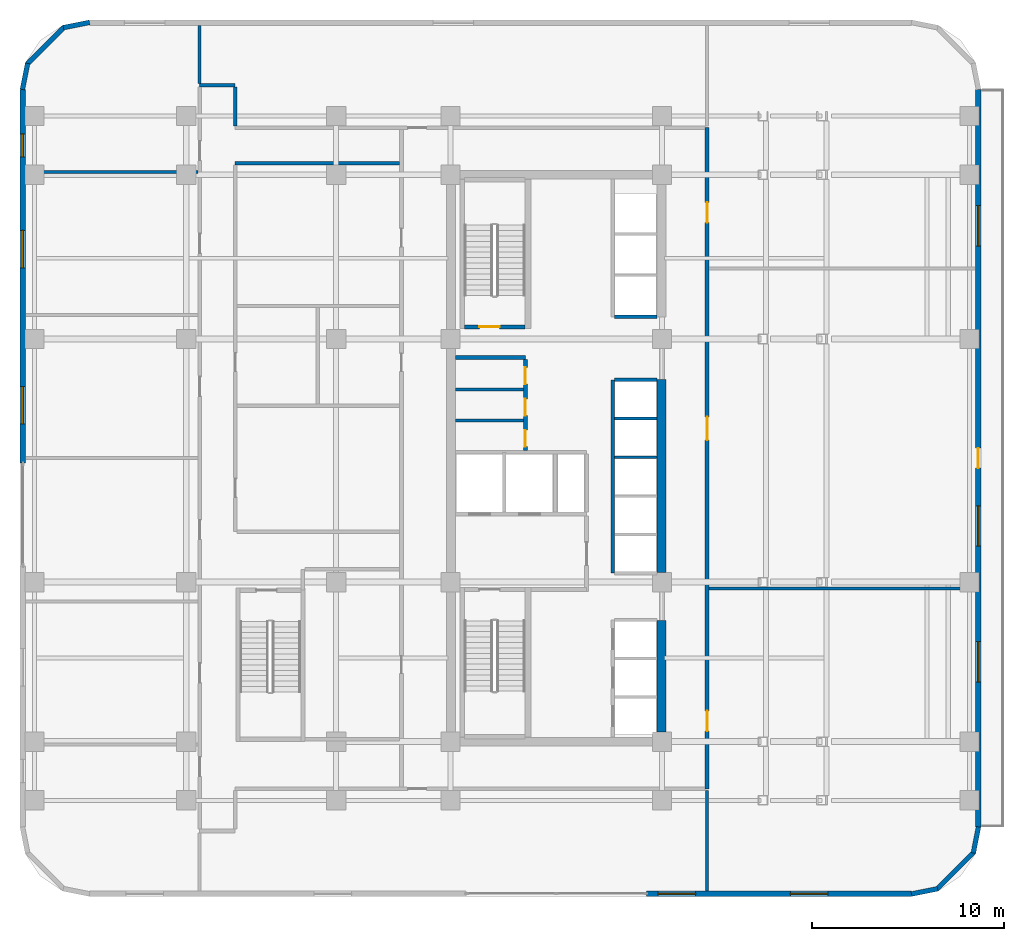
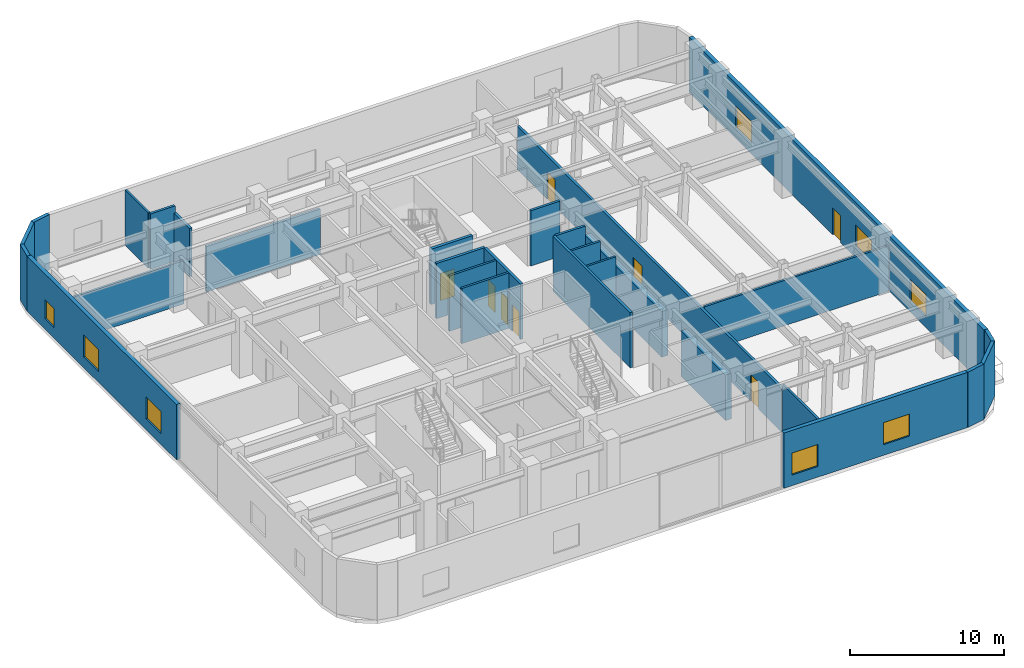
# One storey, part 6 of 10: 29 walls, 8 doors, 8 windows, 16 openings.
"""IFC4 building model written with IfcOpenShell, lengths in metres."""

from ifc_helpers import new_model, si_unit, direction, frame, frame_2d, origin, place, context, subcontext, project, spatial, rectangle, extrude, material, layer, layer_set, type_object, element, fill, save


model = new_model("IFC4")

# Units and contexts
model_context = context("Model", 3, precision=1e-05, world=origin(), true_north=direction((0.0, 1.0)))
body_context = subcontext(model_context, "Body", "Model", "MODEL_VIEW")
ifc_project = project(units=[si_unit("LENGTHUNIT", "METRE"), si_unit("AREAUNIT", "SQUARE_METRE"), si_unit("VOLUMEUNIT", "CUBIC_METRE"), si_unit("PLANEANGLEUNIT", "RADIAN"), si_unit("MASSUNIT", "GRAM", prefix="KILO")], contexts=[model_context])

# Site, building, storey
site_placement = place(None, origin())
site = spatial("IfcSite", under=ifc_project, at=site_placement, CompositionType="ELEMENT")
building_placement = place(site_placement, origin())
building = spatial("IfcBuilding", under=site, at=building_placement, Name="Ochreholt Gables", CompositionType="ELEMENT")
storey_placement = place(building_placement, frame((0.0, 0.0, 14.39990234375)))
storey = spatial("IfcBuildingStorey", under=building, at=storey_placement, Name="L03", CompositionType="ELEMENT", Elevation=14.39990234375)

# Walls
ifc_material_1 = material(Name="Concrete 60 MPa", Category="concrete")
ifc_layer_1 = layer(ifc_material_1, 0.449951171875, Name="Concrete 60 MPa")
ifc_layer_set_1 = layer_set([ifc_layer_1], Name="Concrete 60 MPa")
wall_type_1 = type_object("IfcWallType", Name="WALL-CSW-450", PredefinedType="SHEAR", material=ifc_layer_set_1)
wall_1_placement = place(storey_placement, frame((35.175048828125, 9.75, 0.0), z_axis=(0.0, 0.0, 1.0), x_axis=(0.0, 1.0, 0.0)))
element("IfcWall", 1, at=wall_1_placement, inside=storey, type_object=wall_type_1, Name="L03 Core South-East Shear Wall", PredefinedType="SHEAR", context=body_context, shape_type="SweptSolid", body=[
    extrude(rectangle(XDim=5.800048828125, YDim=0.449951171875, at=frame_2d((2.89990234375, 0.0))), origin(), (0.0, 0.0, 1.0), 3.6201171875),
])
wall_2_placement = place(storey_placement, frame((35.175048828125, 18.050048828125, 0.0), z_axis=(0.0, 0.0, 1.0), x_axis=(0.0, 1.0, 0.0)))
element("IfcWall", 2, at=wall_2_placement, inside=storey, type_object=wall_type_1, Name="L03 Core Central-East Shear Wall", PredefinedType="SHEAR", context=body_context, shape_type="SweptSolid", body=[
    extrude(rectangle(XDim=10.050048828125, YDim=0.449951171875, at=frame_2d((5.02490234375, 0.0))), origin(), (0.0, 0.0, 1.0), 3.6201171875),
])

# Wall, openings, windows
ifc_material_2 = material(Name="Precast concrete 40 MPa", Category="concrete")
ifc_layer_2 = layer(ifc_material_2, 0.2900390625, Name="Precast concrete 40 MPa")
ifc_layer_set_2 = layer_set([ifc_layer_2], Name="Precast concrete 40 MPa")
wall_type_2 = type_object("IfcWallType", Name="WALL-EXT-290", PredefinedType="SOLIDWALL", material=ifc_layer_set_2)
wall_3_placement = place(storey_placement, frame((34.39990234375, 1.344970703125, 0.0), z_axis=(0.0, 0.0, 1.0), x_axis=(1.0, 0.0, 0.0)))
wall_3 = element("IfcWall", 3, at=wall_3_placement, inside=storey, type_object=wall_type_2, Name="L03 South Facade Wall 2", PredefinedType="SOLIDWALL", context=body_context, shape_type="SweptSolid", body=[
    extrude(rectangle(XDim=13.780029296875, YDim=0.2900390625, at=frame_2d((6.89013671875, 0.0))), origin(), (0.0, 0.0, 1.0), 4.39013671875),
])
opening_1_placement = place(wall_3_placement, frame((0.60009765625, 0.0, 0.85009765625)))
opening_1 = element("IfcOpeningElement", 4, at=opening_1_placement, cuts=wall_3, Name="Opening WN-9", PredefinedType="OPENING", context=body_context, shape_type="SweptSolid", body=[
    extrude(rectangle(XDim=1.949951171875, YDim=1.75, at=frame_2d((0.97509765625, 0.875))), frame((0.0, 0.155029296875, 0.0), z_axis=(0.0, -1.0, 0.0), x_axis=(1.0, 0.0, 0.0)), (0.0, 0.0, 1.0), 0.31005859375),
])
opening_2_placement = place(wall_3_placement, frame((7.489990234375, 0.0, 0.85009765625)))
opening_2 = element("IfcOpeningElement", 5, at=opening_2_placement, cuts=wall_3, Name="Opening WN-9", PredefinedType="OPENING", context=body_context, shape_type="SweptSolid", body=[
    extrude(rectangle(XDim=1.949951171875, YDim=1.75, at=frame_2d((0.97509765625, 0.875))), frame((0.0, 0.155029296875, 0.0), z_axis=(0.0, -1.0, 0.0), x_axis=(1.0, 0.0, 0.0)), (0.0, 0.0, 1.0), 0.31005859375),
])
ifc_material_3 = material(Name="Triple-Glazed Thermally Broken Aluminium Window", Category="aluminium")
window_type_1 = type_object("IfcWindowType", Name="WIN-CLN-1950", PartitioningType="SINGLE_PANEL", PredefinedType="WINDOW", material=ifc_material_3)
window_1_placement = place(opening_1_placement, origin())
window_1 = element("IfcWindow", 6, at=window_1_placement, inside=storey, type_object=window_type_1, Name="L03 Window W-EXT-S2-L03-1", OverallHeight=1.75, OverallWidth=1.949951171875, PartitioningType="SINGLE_PANEL", PredefinedType="WINDOW", context=body_context, shape_type="SweptSolid", body=[
    extrude(rectangle(XDim=1.949951171875, YDim=1.75, at=frame_2d((0.97509765625, 0.875))), frame((0.0, 0.030029296875, 0.0), z_axis=(0.0, -1.0, 0.0), x_axis=(1.0, 0.0, 0.0)), (0.0, 0.0, 1.0), 0.06005859375),
])
fill(opening_1, window_1)
window_2_placement = place(opening_2_placement, origin())
window_2 = element("IfcWindow", 7, at=window_2_placement, inside=storey, type_object=window_type_1, Name="L03 Window W-EXT-S2-L03-2", OverallHeight=1.75, OverallWidth=1.949951171875, PartitioningType="SINGLE_PANEL", PredefinedType="WINDOW", context=body_context, shape_type="SweptSolid", body=[
    extrude(rectangle(XDim=1.949951171875, YDim=1.75, at=frame_2d((0.97509765625, 0.875))), frame((0.0, 0.030029296875, 0.0), z_axis=(0.0, -1.0, 0.0), x_axis=(1.0, 0.0, 0.0)), (0.0, 0.0, 1.0), 0.06005859375),
])
fill(opening_2, window_2)

# Wall, openings, door, windows
wall_4_placement = place(storey_placement, frame((51.655029296875, 4.820068359375, 0.0), z_axis=(0.0, 0.0, 1.0), x_axis=(0.0, 1.0, 0.0)))
wall_4 = element("IfcWall", 8, at=wall_4_placement, inside=storey, type_object=wall_type_2, Name="L03 East Exterior Wall", PredefinedType="SOLIDWALL", context=body_context, shape_type="SweptSolid", body=[
    extrude(rectangle(XDim=38.35986328125, YDim=0.2900390625, at=frame_2d((19.179931640625, 0.0))), origin(), (0.0, 0.0, 1.0), 4.39013671875),
])
opening_3_placement = place(wall_4_placement, frame((18.659912109375, 0.0, 0.0)))
opening_3 = element("IfcOpeningElement", 9, at=opening_3_placement, cuts=wall_4, Name="Opening D-TR1", PredefinedType="OPENING", context=body_context, shape_type="SweptSolid", body=[
    extrude(rectangle(XDim=1.050048828125, YDim=2.14990234375, at=frame_2d((0.52490234375, 1.074951171875))), frame((0.0, 0.155029296875, 0.0), z_axis=(0.0, -1.0, 0.0), x_axis=(1.0, 0.0, 0.0)), (0.0, 0.0, 1.0), 0.31005859375),
])
opening_4_placement = place(wall_4_placement, frame((7.530029296875, 0.0, 0.85009765625)))
opening_4 = element("IfcOpeningElement", 10, at=opening_4_placement, cuts=wall_4, Name="Opening WN-4", PredefinedType="OPENING", context=body_context, shape_type="SweptSolid", body=[
    extrude(rectangle(XDim=2.10009765625, YDim=1.75, at=frame_2d((1.050048828125, 0.875))), frame((0.0, 0.155029296875, 0.0), z_axis=(0.0, -1.0, 0.0), x_axis=(1.0, 0.0, 0.0)), (0.0, 0.0, 1.0), 0.31005859375),
])
opening_5_placement = place(wall_4_placement, frame((14.60498046875, 0.0, 0.85009765625)))
opening_5 = element("IfcOpeningElement", 11, at=opening_5_placement, cuts=wall_4, Name="Opening WN-4", PredefinedType="OPENING", context=body_context, shape_type="SweptSolid", body=[
    extrude(rectangle(XDim=2.10009765625, YDim=1.75, at=frame_2d((1.050048828125, 0.875))), frame((0.0, 0.155029296875, 0.0), z_axis=(0.0, -1.0, 0.0), x_axis=(1.0, 0.0, 0.0)), (0.0, 0.0, 1.0), 0.31005859375),
])
opening_6_placement = place(wall_4_placement, frame((30.215087890625, 0.0, 0.85009765625)))
opening_6 = element("IfcOpeningElement", 12, at=opening_6_placement, cuts=wall_4, Name="Opening WN-4", PredefinedType="OPENING", context=body_context, shape_type="SweptSolid", body=[
    extrude(rectangle(XDim=2.10009765625, YDim=1.75, at=frame_2d((1.050048828125, 0.875))), frame((0.0, 0.155029296875, 0.0), z_axis=(0.0, -1.0, 0.0), x_axis=(1.0, 0.0, 0.0)), (0.0, 0.0, 1.0), 0.31005859375),
])
ifc_material_4 = material(Name="Thermally Broken Insulated Steel and Glass Door", Category="steel")
door_type_1 = type_object("IfcDoorType", Name="DR-EXT-TER1050", OperationType="NOTDEFINED", PredefinedType="DOOR", material=ifc_material_4)
door_1_placement = place(opening_3_placement, origin())
door_1 = element("IfcDoor", 13, at=door_1_placement, inside=storey, type_object=door_type_1, Name="L03 Outdoor Terrace Access Door TR-L03-E", OperationType="SINGLE_SWING_LEFT", OverallHeight=2.14990234375, OverallWidth=1.050048828125, PredefinedType="DOOR", context=body_context, shape_type="SweptSolid", body=[
    extrude(rectangle(XDim=1.050048828125, YDim=2.14990234375, at=frame_2d((0.52490234375, 1.074951171875))), frame((0.0, 0.02490234375, 0.0), z_axis=(0.0, -1.0, 0.0), x_axis=(1.0, 0.0, 0.0)), (0.0, 0.0, 1.0), 0.050048828125),
])
fill(opening_3, door_1)
window_type_2 = type_object("IfcWindowType", Name="WIN-CLN-2100", PartitioningType="SINGLE_PANEL", PredefinedType="WINDOW", material=ifc_material_3)
window_3_placement = place(opening_4_placement, origin())
window_3 = element("IfcWindow", 14, at=window_3_placement, inside=storey, type_object=window_type_2, Name="L03 Window W-EXT-E-L03-1", OverallHeight=1.75, OverallWidth=2.10009765625, PartitioningType="SINGLE_PANEL", PredefinedType="WINDOW", context=body_context, shape_type="SweptSolid", body=[
    extrude(rectangle(XDim=2.10009765625, YDim=1.75, at=frame_2d((1.050048828125, 0.875))), frame((0.0, 0.030029296875, 0.0), z_axis=(0.0, -1.0, 0.0), x_axis=(1.0, 0.0, 0.0)), (0.0, 0.0, 1.0), 0.06005859375),
])
fill(opening_4, window_3)
window_4_placement = place(opening_5_placement, origin())
window_4 = element("IfcWindow", 15, at=window_4_placement, inside=storey, type_object=window_type_2, Name="L03 Window W-EXT-E-L03-2", OverallHeight=1.75, OverallWidth=2.10009765625, PartitioningType="SINGLE_PANEL", PredefinedType="WINDOW", context=body_context, shape_type="SweptSolid", body=[
    extrude(rectangle(XDim=2.10009765625, YDim=1.75, at=frame_2d((1.050048828125, 0.875))), frame((0.0, 0.030029296875, 0.0), z_axis=(0.0, -1.0, 0.0), x_axis=(1.0, 0.0, 0.0)), (0.0, 0.0, 1.0), 0.06005859375),
])
fill(opening_5, window_4)
window_5_placement = place(opening_6_placement, origin())
window_5 = element("IfcWindow", 16, at=window_5_placement, inside=storey, type_object=window_type_2, Name="L03 Window W-EXT-E-L03-3", OverallHeight=1.75, OverallWidth=2.10009765625, PartitioningType="SINGLE_PANEL", PredefinedType="WINDOW", context=body_context, shape_type="SweptSolid", body=[
    extrude(rectangle(XDim=2.10009765625, YDim=1.75, at=frame_2d((1.050048828125, 0.875))), frame((0.0, 0.030029296875, 0.0), z_axis=(0.0, -1.0, 0.0), x_axis=(1.0, 0.0, 0.0)), (0.0, 0.0, 1.0), 0.06005859375),
])
fill(opening_6, window_5)

# Wall, openings, windows
wall_5_placement = place(storey_placement, frame((1.945068359375, 43.179931640625, 0.0), z_axis=(0.0, 0.0, 1.0), x_axis=(0.0, -1.0, 0.0)))
wall_5 = element("IfcWall", 17, at=wall_5_placement, inside=storey, type_object=wall_type_2, Name="L03 West Facade Wall 1", PredefinedType="SOLIDWALL", context=body_context, shape_type="SweptSolid", body=[
    extrude(rectangle(XDim=19.429931640625, YDim=0.2900390625, at=frame_2d((9.71484375, 0.0))), origin(), (0.0, 0.0, 1.0), 4.39013671875),
])
opening_7_placement = place(wall_5_placement, frame((15.449951171875, 0.0, 0.85009765625)))
opening_7 = element("IfcOpeningElement", 18, at=opening_7_placement, cuts=wall_5, Name="Opening WN-9", PredefinedType="OPENING", context=body_context, shape_type="SweptSolid", body=[
    extrude(rectangle(XDim=1.949951171875, YDim=1.75, at=frame_2d((0.97509765625, 0.875))), frame((0.0, 0.155029296875, 0.0), z_axis=(0.0, -1.0, 0.0), x_axis=(1.0, 0.0, 0.0)), (0.0, 0.0, 1.0), 0.31005859375),
])
opening_8_placement = place(wall_5_placement, frame((7.324951171875, 0.0, 0.85009765625)))
opening_8 = element("IfcOpeningElement", 19, at=opening_8_placement, cuts=wall_5, Name="Opening WN-9", PredefinedType="OPENING", context=body_context, shape_type="SweptSolid", body=[
    extrude(rectangle(XDim=1.949951171875, YDim=1.75, at=frame_2d((0.97509765625, 0.875))), frame((0.0, 0.155029296875, 0.0), z_axis=(0.0, -1.0, 0.0), x_axis=(1.0, 0.0, 0.0)), (0.0, 0.0, 1.0), 0.31005859375),
])
opening_9_placement = place(wall_5_placement, frame((2.304931640625, 0.0, 0.85009765625)))
opening_9 = element("IfcOpeningElement", 20, at=opening_9_placement, cuts=wall_5, Name="Opening WN-3", PredefinedType="OPENING", context=body_context, shape_type="SweptSolid", body=[
    extrude(rectangle(XDim=1.199951171875, YDim=1.5, at=frame_2d((0.60009765625, 0.75))), frame((0.0, 0.155029296875, 0.0), z_axis=(0.0, -1.0, 0.0), x_axis=(1.0, 0.0, 0.0)), (0.0, 0.0, 1.0), 0.31005859375),
])
window_6_placement = place(opening_7_placement, origin())
window_6 = element("IfcWindow", 21, at=window_6_placement, inside=storey, type_object=window_type_1, Name="L03 Window W-EXT-W1-L03-1", OverallHeight=1.75, OverallWidth=1.949951171875, PartitioningType="SINGLE_PANEL", PredefinedType="WINDOW", context=body_context, shape_type="SweptSolid", body=[
    extrude(rectangle(XDim=1.949951171875, YDim=1.75, at=frame_2d((0.97509765625, 0.875))), frame((0.0, 0.030029296875, 0.0), z_axis=(0.0, -1.0, 0.0), x_axis=(1.0, 0.0, 0.0)), (0.0, 0.0, 1.0), 0.06005859375),
])
fill(opening_7, window_6)
window_7_placement = place(opening_8_placement, origin())
window_7 = element("IfcWindow", 22, at=window_7_placement, inside=storey, type_object=window_type_1, Name="L03 Window W-EXT-W1-L03-2", OverallHeight=1.75, OverallWidth=1.949951171875, PartitioningType="SINGLE_PANEL", PredefinedType="WINDOW", context=body_context, shape_type="SweptSolid", body=[
    extrude(rectangle(XDim=1.949951171875, YDim=1.75, at=frame_2d((0.97509765625, 0.875))), frame((0.0, 0.030029296875, 0.0), z_axis=(0.0, -1.0, 0.0), x_axis=(1.0, 0.0, 0.0)), (0.0, 0.0, 1.0), 0.06005859375),
])
fill(opening_8, window_7)
window_type_3 = type_object("IfcWindowType", Name="WIN-RES-1200", PartitioningType="SINGLE_PANEL", PredefinedType="WINDOW", material=ifc_material_3)
window_8_placement = place(opening_9_placement, origin())
window_8 = element("IfcWindow", 23, at=window_8_placement, inside=storey, type_object=window_type_3, Name="L03 Window W-EXT-W1-L03-3", OverallHeight=1.5, OverallWidth=1.199951171875, PartitioningType="SINGLE_PANEL", PredefinedType="WINDOW", context=body_context, shape_type="SweptSolid", body=[
    extrude(rectangle(XDim=1.199951171875, YDim=1.5, at=frame_2d((0.60009765625, 0.75))), frame((0.0, 0.030029296875, 0.0), z_axis=(0.0, -1.0, 0.0), x_axis=(1.0, 0.0, 0.0)), (0.0, 0.0, 1.0), 0.06005859375),
])
fill(opening_9, window_8)

# Walls
ifc_layer_3 = layer(ifc_material_2, 0.25, Name="Precast concrete 40 MPa")
ifc_layer_set_3 = layer_set([ifc_layer_3], Name="Precast concrete 40 MPa")
wall_type_3 = type_object("IfcWallType", Name="WALL-EXT-CNR", PredefinedType="SOLIDWALL", material=ifc_layer_set_3)
wall_6_placement = place(storey_placement, frame((48.18359375, 1.32421875, 0.0), z_axis=(0.0, 0.0, 1.0), x_axis=(0.980803214965, 0.195000137217, 0.0)))
element("IfcWall", 24, at=wall_6_placement, inside=storey, type_object=wall_type_3, Name="L03 Rounded Corner Wall SE-1", PredefinedType="SOLIDWALL", context=body_context, shape_type="SweptSolid", body=[
    extrude(rectangle(XDim=1.388427734375, YDim=0.25, at=frame_2d((0.6943359375, 0.0))), origin(), (0.0, 0.0, 1.0), 4.39013671875),
])
wall_7_placement = place(storey_placement, frame((49.4951171875, 1.568115234375, 0.0), z_axis=(0.0, 0.0, 1.0), x_axis=(0.707106781187, 0.707106781187, 0.0)))
element("IfcWall", 25, at=wall_7_placement, inside=storey, type_object=wall_type_3, Name="L03 Rounded Corner Wall SE-2", PredefinedType="SOLIDWALL", context=body_context, shape_type="SweptSolid", body=[
    extrude(rectangle(XDim=2.739013671875, YDim=0.25, at=frame_2d((1.36962890625, 0.0))), origin(), (0.0, 0.0, 1.0), 4.39013671875),
])
wall_8_placement = place(storey_placement, frame((51.405029296875, 3.45458984375, 0.0), z_axis=(0.0, 0.0, 1.0), x_axis=(0.195000137217, 0.980803214965, 0.0)))
element("IfcWall", 26, at=wall_8_placement, inside=storey, type_object=wall_type_3, Name="L03 Rounded Corner Wall SE-3", PredefinedType="SOLIDWALL", context=body_context, shape_type="SweptSolid", body=[
    extrude(rectangle(XDim=1.388427734375, YDim=0.25, at=frame_2d((0.6943359375, 0.0))), origin(), (0.0, 0.0, 1.0), 4.39013671875),
])
wall_9_placement = place(storey_placement, frame((5.41650390625, 46.67578125, 0.0), z_axis=(0.0, 0.0, 1.0), x_axis=(-0.980809899341, -0.19496651342, 0.0)))
element("IfcWall", 27, at=wall_9_placement, inside=storey, type_object=wall_type_3, Name="L03 Rounded Corner Wall NW-1", PredefinedType="SOLIDWALL", context=body_context, shape_type="SweptSolid", body=[
    extrude(rectangle(XDim=1.388671875, YDim=0.25, at=frame_2d((0.6943359375, 0.0))), origin(), (0.0, 0.0, 1.0), 4.39013671875),
])
wall_10_placement = place(storey_placement, frame((4.10498046875, 46.431884765625, 0.0), z_axis=(0.0, 0.0, 1.0), x_axis=(-0.707151344399, -0.707062215165, 0.0)))
element("IfcWall", 28, at=wall_10_placement, inside=storey, type_object=wall_type_3, Name="L03 Rounded Corner Wall NW-2", PredefinedType="SOLIDWALL", context=body_context, shape_type="SweptSolid", body=[
    extrude(rectangle(XDim=2.7392578125, YDim=0.25, at=frame_2d((1.36962890625, 0.0))), origin(), (0.0, 0.0, 1.0), 4.39013671875),
])
wall_11_placement = place(storey_placement, frame((2.195068359375, 44.54541015625, 0.0), z_axis=(0.0, 0.0, 1.0), x_axis=(-0.195000137217, -0.980803214965, 0.0)))
element("IfcWall", 29, at=wall_11_placement, inside=storey, type_object=wall_type_3, Name="L03 Rounded Corner Wall NW-3", PredefinedType="SOLIDWALL", context=body_context, shape_type="SweptSolid", body=[
    extrude(rectangle(XDim=1.388427734375, YDim=0.25, at=frame_2d((0.6943359375, 0.0))), origin(), (0.0, 0.0, 1.0), 4.39013671875),
])
ifc_material_5 = material(Name="Concrete 40 MPa", Category="concrete")
ifc_layer_4 = layer(ifc_material_5, 0.199951171875, Name="Concrete 40 MPa")
ifc_layer_set_4 = layer_set([ifc_layer_4], Name="Concrete 40 MPa")
wall_type_4 = type_object("IfcWallType", Name="WALL-INT-CF200", PredefinedType="STANDARD", material=ifc_layer_set_4)
wall_12_placement = place(storey_placement, frame((24.449951171875, 29.239990234375, 0.0), z_axis=(0.0, 0.0, 1.0), x_axis=(1.0, 0.0, 0.0)))
element("IfcWall", 30, at=wall_12_placement, inside=storey, type_object=wall_type_4, Name="L03 Interior Wall WI-SRVN-L03", PredefinedType="STANDARD", context=body_context, shape_type="SweptSolid", body=[
    extrude(rectangle(XDim=3.650146484375, YDim=0.199951171875, at=frame_2d((1.8251953125, 0.0))), origin(), (0.0, 0.0, 1.0), 4.39013671875),
])

# Wall, openings, doors
wall_13_placement = place(storey_placement, frame((28.10009765625, 24.389892578125, 0.0), z_axis=(0.0, 0.0, 1.0), x_axis=(0.0, 1.0, 0.0)))
wall_13 = element("IfcWall", 31, at=wall_13_placement, inside=storey, type_object=wall_type_4, Name="L03 Interior Wall WI-SRVE-L03", PredefinedType="STANDARD", context=body_context, shape_type="SweptSolid", body=[
    extrude(rectangle(XDim=4.75, YDim=0.199951171875, at=frame_2d((2.375, 0.0))), origin(), (0.0, 0.0, 1.0), 4.39013671875),
])
opening_10_placement = place(wall_13_placement, frame((0.2099609375, 0.0, 0.0)))
opening_10 = element("IfcOpeningElement", 32, at=opening_10_placement, cuts=wall_13, Name="Opening D-SV2", PredefinedType="OPENING", context=body_context, shape_type="SweptSolid", body=[
    extrude(rectangle(XDim=0.860107421875, YDim=2.10009765625, at=frame_2d((0.43017578125, 1.050048828125))), frame((0.0, 0.10986328125, 0.0), z_axis=(0.0, -1.0, 0.0), x_axis=(1.0, 0.0, 0.0)), (0.0, 0.0, 1.0), 0.219970703125),
])
opening_11_placement = place(wall_13_placement, frame((1.830078125, 0.0, 0.0)))
opening_11 = element("IfcOpeningElement", 33, at=opening_11_placement, cuts=wall_13, Name="Opening D-SV2", PredefinedType="OPENING", context=body_context, shape_type="SweptSolid", body=[
    extrude(rectangle(XDim=0.860107421875, YDim=2.10009765625, at=frame_2d((0.43017578125, 1.050048828125))), frame((0.0, 0.10986328125, 0.0), z_axis=(0.0, -1.0, 0.0), x_axis=(1.0, 0.0, 0.0)), (0.0, 0.0, 1.0), 0.219970703125),
])
opening_12_placement = place(wall_13_placement, frame((3.469970703125, 0.0, 0.0)))
opening_12 = element("IfcOpeningElement", 34, at=opening_12_placement, cuts=wall_13, Name="Opening D-SV2", PredefinedType="OPENING", context=body_context, shape_type="SweptSolid", body=[
    extrude(rectangle(XDim=0.860107421875, YDim=2.10009765625, at=frame_2d((0.43017578125, 1.050048828125))), frame((0.0, 0.10986328125, 0.0), z_axis=(0.0, -1.0, 0.0), x_axis=(1.0, 0.0, 0.0)), (0.0, 0.0, 1.0), 0.219970703125),
])
ifc_material_6 = material(Name="Hollow Metal Steel", Category="steel")
door_type_2 = type_object("IfcDoorType", Name="DR-INT-SRV860", OperationType="NOTDEFINED", PredefinedType="DOOR", material=ifc_material_6)
door_2_placement = place(opening_10_placement, origin())
door_2 = element("IfcDoor", 35, at=door_2_placement, inside=storey, type_object=door_type_2, Name="L03 Door D-SRV1-L03", OperationType="SINGLE_SWING_LEFT", OverallHeight=2.10009765625, OverallWidth=0.860107421875, PredefinedType="DOOR", context=body_context, shape_type="SweptSolid", body=[
    extrude(rectangle(XDim=0.860107421875, YDim=2.10009765625, at=frame_2d((0.43017578125, 1.050048828125))), frame((0.0, 0.02490234375, 0.0), z_axis=(0.0, -1.0, 0.0), x_axis=(1.0, 0.0, 0.0)), (0.0, 0.0, 1.0), 0.050048828125),
])
fill(opening_10, door_2)
door_3_placement = place(opening_11_placement, origin())
door_3 = element("IfcDoor", 36, at=door_3_placement, inside=storey, type_object=door_type_2, Name="L03 Door D-SRV2-L03", OperationType="SINGLE_SWING_RIGHT", OverallHeight=2.10009765625, OverallWidth=0.860107421875, PredefinedType="DOOR", context=body_context, shape_type="SweptSolid", body=[
    extrude(rectangle(XDim=0.860107421875, YDim=2.10009765625, at=frame_2d((0.43017578125, 1.050048828125))), frame((0.0, 0.02490234375, 0.0), z_axis=(0.0, -1.0, 0.0), x_axis=(1.0, 0.0, 0.0)), (0.0, 0.0, 1.0), 0.050048828125),
])
fill(opening_11, door_3)
door_4_placement = place(opening_12_placement, origin())
door_4 = element("IfcDoor", 37, at=door_4_placement, inside=storey, type_object=door_type_2, Name="L03 Door D-SRV3-L03", OperationType="SINGLE_SWING_LEFT", OverallHeight=2.10009765625, OverallWidth=0.860107421875, PredefinedType="DOOR", context=body_context, shape_type="SweptSolid", body=[
    extrude(rectangle(XDim=0.860107421875, YDim=2.10009765625, at=frame_2d((0.43017578125, 1.050048828125))), frame((0.0, 0.02490234375, 0.0), z_axis=(0.0, -1.0, 0.0), x_axis=(1.0, 0.0, 0.0)), (0.0, 0.0, 1.0), 0.050048828125),
])
fill(opening_12, door_4)

ifc_material_7 = material(Name="Fire-Rated Gypsum Acoustic Partition", Category="gypsum")
ifc_layer_5 = layer(ifc_material_7, 0.18994140625, Name="Fire-Rated Gypsum Acoustic Partition")
ifc_layer_set_5 = layer_set([ifc_layer_5], Name="Fire-Rated Gypsum Acoustic Partition")
wall_type_5 = type_object("IfcWallType", Name="WALL-INT-CR190", PredefinedType="STANDARD", material=ifc_layer_set_5)
wall_14_placement = place(storey_placement, frame((37.550048828125, 6.800048828125, 0.0), z_axis=(0.0, 0.0, 1.0), x_axis=(0.0, 1.0, 0.0)))
wall_14 = element("IfcWall", 38, at=wall_14_placement, inside=storey, type_object=wall_type_5, Name="L03 Interior Wall WI-CLCE-L03", PredefinedType="STANDARD", context=body_context, shape_type="SweptSolid", body=[
    extrude(rectangle(XDim=34.39990234375, YDim=0.18994140625, at=frame_2d((17.199951171875, 0.0))), origin(), (0.0, 0.0, 1.0), 3.445068359375),
])
opening_13_placement = place(wall_14_placement, frame((3.0, 0.0, 0.0)))
opening_13 = element("IfcOpeningElement", 39, at=opening_13_placement, cuts=wall_14, Name="Opening D-CL1", PredefinedType="OPENING", context=body_context, shape_type="SweptSolid", body=[
    extrude(rectangle(XDim=1.050048828125, YDim=2.14990234375, at=frame_2d((0.52490234375, 1.074951171875))), frame((0.0, 0.10498046875, 0.0), z_axis=(0.0, -1.0, 0.0), x_axis=(1.0, 0.0, 0.0)), (0.0, 0.0, 1.0), 0.2099609375),
])
opening_14_placement = place(wall_14_placement, frame((18.14501953125, 0.0, 0.0)))
opening_14 = element("IfcOpeningElement", 40, at=opening_14_placement, cuts=wall_14, Name="Opening D-CL2", PredefinedType="OPENING", context=body_context, shape_type="SweptSolid", body=[
    extrude(rectangle(XDim=1.199951171875, YDim=2.14990234375, at=frame_2d((0.60009765625, 1.074951171875))), frame((0.0, 0.10498046875, 0.0), z_axis=(0.0, -1.0, 0.0), x_axis=(1.0, 0.0, 0.0)), (0.0, 0.0, 1.0), 0.2099609375),
])
opening_15_placement = place(wall_14_placement, frame((29.4599609375, 0.0, 0.0)))
opening_15 = element("IfcOpeningElement", 41, at=opening_15_placement, cuts=wall_14, Name="Opening D-CL1", PredefinedType="OPENING", context=body_context, shape_type="SweptSolid", body=[
    extrude(rectangle(XDim=1.050048828125, YDim=2.14990234375, at=frame_2d((0.52490234375, 1.074951171875))), frame((0.0, 0.10498046875, 0.0), z_axis=(0.0, -1.0, 0.0), x_axis=(1.0, 0.0, 0.0)), (0.0, 0.0, 1.0), 0.2099609375),
])
ifc_material_8 = material(Name="Engineered Oak Timber", Category="wood")
door_type_3 = type_object("IfcDoorType", Name="DR-INT-CLN1050", OperationType="NOTDEFINED", PredefinedType="DOOR", material=ifc_material_8)
door_5_placement = place(opening_13_placement, origin())
door_5 = element("IfcDoor", 42, at=door_5_placement, inside=storey, type_object=door_type_3, Name="L03 Door D-CLE1-L03", OperationType="SINGLE_SWING_LEFT", OverallHeight=2.14990234375, OverallWidth=1.050048828125, PredefinedType="DOOR", context=body_context, shape_type="SweptSolid", body=[
    extrude(rectangle(XDim=1.050048828125, YDim=2.14990234375, at=frame_2d((0.52490234375, 1.074951171875))), frame((0.0, 0.02490234375, 0.0), z_axis=(0.0, -1.0, 0.0), x_axis=(1.0, 0.0, 0.0)), (0.0, 0.0, 1.0), 0.050048828125),
])
fill(opening_13, door_5)
door_6_placement = place(opening_15_placement, origin())
door_6 = element("IfcDoor", 43, at=door_6_placement, inside=storey, type_object=door_type_3, Name="L03 Door D-CLE3-L03", OperationType="SINGLE_SWING_LEFT", OverallHeight=2.14990234375, OverallWidth=1.050048828125, PredefinedType="DOOR", context=body_context, shape_type="SweptSolid", body=[
    extrude(rectangle(XDim=1.050048828125, YDim=2.14990234375, at=frame_2d((0.52490234375, 1.074951171875))), frame((0.0, 0.02490234375, 0.0), z_axis=(0.0, -1.0, 0.0), x_axis=(1.0, 0.0, 0.0)), (0.0, 0.0, 1.0), 0.050048828125),
])
fill(opening_15, door_6)
door_type_4 = type_object("IfcDoorType", Name="DR-INT-CLN1200", OperationType="NOTDEFINED", PredefinedType="DOOR", material=ifc_material_8)
door_7_placement = place(opening_14_placement, origin())
door_7 = element("IfcDoor", 44, at=door_7_placement, inside=storey, type_object=door_type_4, Name="L03 Door D-CLE2-L03", OperationType="SINGLE_SWING_RIGHT", OverallHeight=2.14990234375, OverallWidth=1.199951171875, PredefinedType="DOOR", context=body_context, shape_type="SweptSolid", body=[
    extrude(rectangle(XDim=1.199951171875, YDim=2.14990234375, at=frame_2d((0.60009765625, 1.074951171875))), frame((0.0, 0.02490234375, 0.0), z_axis=(0.0, -1.0, 0.0), x_axis=(1.0, 0.0, 0.0)), (0.0, 0.0, 1.0), 0.050048828125),
])
fill(opening_14, door_7)

# Walls
wall_15_placement = place(storey_placement, frame((11.14990234375, 43.39990234375, 0.0), z_axis=(0.0, 0.0, 1.0), x_axis=(1.0, 0.0, 0.0)))
element("IfcWall", 45, at=wall_15_placement, inside=storey, type_object=wall_type_5, Name="L03 Interior Wall WI-CLCN0-L03", PredefinedType="STANDARD", context=body_context, shape_type="SweptSolid", body=[
    extrude(rectangle(XDim=1.85009765625, YDim=0.18994140625, at=frame_2d((0.925048828125, 0.0))), origin(), (0.0, 0.0, 1.0), 4.39013671875),
])
wall_16_placement = place(storey_placement, frame((13.0, 41.294921875, 0.0), z_axis=(0.0, 0.0, 1.0), x_axis=(0.0, 1.0, 0.0)))
element("IfcWall", 46, at=wall_16_placement, inside=storey, type_object=wall_type_5, Name="L03 Interior Wall WI-CLCN1-L03", PredefinedType="STANDARD", context=body_context, shape_type="SweptSolid", body=[
    extrude(rectangle(XDim=2.010009765625, YDim=0.18994140625, at=frame_2d((1.0048828125, 0.0))), origin(), (0.0, 0.0, 1.0), 3.839111328125),
])
wall_17_placement = place(storey_placement, frame((13.0, 39.35009765625, 0.0), z_axis=(0.0, 0.0, 1.0), x_axis=(1.0, 0.0, 0.0)))
element("IfcWall", 47, at=wall_17_placement, inside=storey, type_object=wall_type_5, Name="L03 Interior Wall WI-CLCN2-L03", PredefinedType="STANDARD", context=body_context, shape_type="SweptSolid", body=[
    extrude(rectangle(XDim=8.554931640625, YDim=0.18994140625, at=frame_2d((4.27734375, 0.0))), origin(), (0.0, 0.0, 1.0), 3.60205078125),
])
ifc_material_9 = material(Name="Gypsum Acoustic Stud Partition", Category="gypsum")
ifc_layer_6 = layer(ifc_material_9, 0.159912109375, Name="Gypsum Acoustic Stud Partition")
ifc_layer_set_6 = layer_set([ifc_layer_6], Name="Gypsum Acoustic Stud Partition")
wall_type_6 = type_object("IfcWallType", Name="WALL-INT-PT160", PredefinedType="PARTITIONING", material=ifc_layer_set_6)
for number, where, z_axis, x_axis, name in (
    (48, (24.449951171875, 25.949951171875, 0.0), (0.0, 0.0, 1.0), (1.0, 0.0, 0.0), "L03 Interior Wall WI-SRVP1-L03"),
    (49, (24.449951171875, 27.580078125, 0.0), (0.0, 0.0, 1.0), (1.0, 0.0, 0.0), "L03 Interior Wall WI-SRVP2-L03"),
):
    element("IfcWall", number, at=place(storey_placement, frame(where, z_axis=z_axis, x_axis=x_axis)), inside=storey, type_object=wall_type_6, Name=name, PredefinedType="PARTITIONING", context=body_context, shape_type="SweptSolid", body=[
        extrude(rectangle(XDim=3.550048828125, YDim=0.159912109375, at=frame_2d((1.77490234375, 0.0))), origin(), (0.0, 0.0, 1.0), 4.39013671875),
    ])
wall_18_placement = place(storey_placement, frame((11.14990234375, 43.4951171875, 0.0), z_axis=(0.0, 0.0, 1.0), x_axis=(0.0, 1.0, 0.0)))
element("IfcWall", 50, at=wall_18_placement, inside=storey, type_object=wall_type_6, Name="L03 Interior Wall WI-CLWWN-L03", PredefinedType="PARTITIONING", context=body_context, shape_type="SweptSolid", body=[
    extrude(rectangle(XDim=3.014892578125, YDim=0.159912109375, at=frame_2d((1.50732421875, 0.0))), origin(), (0.0, 0.0, 1.0), 4.39013671875),
])
wall_19_placement = place(storey_placement, frame((37.550048828125, 1.489990234375, 0.0), z_axis=(0.0, 0.0, 1.0), x_axis=(0.0, 1.0, 0.0)))
element("IfcWall", 51, at=wall_19_placement, inside=storey, type_object=wall_type_6, Name="L03 Interior Wall WI-CLCES-L03", PredefinedType="PARTITIONING", context=body_context, shape_type="SweptSolid", body=[
    extrude(rectangle(XDim=5.215087890625, YDim=0.159912109375, at=frame_2d((2.607421875, 0.0))), origin(), (0.0, 0.0, 1.0), 3.839111328125),
])
wall_20_placement = place(storey_placement, frame((37.64501953125, 17.22998046875, 0.0), z_axis=(0.0, 0.0, 1.0), x_axis=(1.0, 0.0, 0.0)))
element("IfcWall", 52, at=wall_20_placement, inside=storey, type_object=wall_type_6, Name="L03 Interior Wall WI-CLE1-L03", PredefinedType="PARTITIONING", context=body_context, shape_type="SweptSolid", body=[
    extrude(rectangle(XDim=13.864990234375, YDim=0.159912109375, at=frame_2d((6.9326171875, 0.0))), origin(), (0.0, 0.0, 1.0), 3.60205078125),
])
wall_21_placement = place(storey_placement, frame((2.090087890625, 38.89990234375, 0.0), z_axis=(0.0, 0.0, 1.0), x_axis=(1.0, 0.0, 0.0)))
element("IfcWall", 53, at=wall_21_placement, inside=storey, type_object=wall_type_6, Name="L03 Interior Wall WI-CLW5-L03", PredefinedType="PARTITIONING", context=body_context, shape_type="SweptSolid", body=[
    extrude(rectangle(XDim=8.96484375, YDim=0.159912109375, at=frame_2d((4.482421875, 0.0))), origin(), (0.0, 0.0, 1.0), 3.445068359375),
])
ifc_material_10 = material(Name="Gypsum Shaftliner and Steel Stud", Category="steel")
ifc_layer_7 = layer(ifc_material_10, 0.14990234375, Name="Gypsum Shaftliner and Steel Stud")
ifc_layer_set_7 = layer_set([ifc_layer_7], Name="Gypsum Shaftliner and Steel Stud")
wall_type_7 = type_object("IfcWallType", Name="WALL-INT-SH150", PredefinedType="STANDARD", material=ifc_layer_set_7)
for number, where, z_axis, x_axis, name in (
    (54, (32.739990234375, 24.050048828125, 0.0), (0.0, 0.0, 1.0), (1.0, 0.0, 0.0), "L03 Interior Wall WI-LFHE-DHE-L03"),
    (55, (32.739990234375, 26.070068359375, 0.0), (0.0, 0.0, 1.0), (1.0, 0.0, 0.0), "L03 Interior Wall WI-LFHE-DEX1-L03"),
):
    element("IfcWall", number, at=place(storey_placement, frame(where, z_axis=z_axis, x_axis=x_axis)), inside=storey, type_object=wall_type_7, Name=name, PredefinedType="STANDARD", context=body_context, shape_type="SweptSolid", body=[
        extrude(rectangle(XDim=2.2099609375, YDim=0.14990234375, at=frame_2d((1.10498046875, 0.0))), origin(), (0.0, 0.0, 1.0), 4.39013671875),
    ])
ifc_layer_8 = layer(ifc_material_10, 0.179931640625, Name="Gypsum Shaftliner and Steel Stud")
ifc_layer_set_8 = layer_set([ifc_layer_8], Name="Gypsum Shaftliner and Steel Stud")
wall_type_8 = type_object("IfcWallType", Name="WALL-INT-SH180", PredefinedType="STANDARD", material=ifc_layer_set_8)
wall_22_placement = place(storey_placement, frame((32.64990234375, 18.02001953125, 0.0), z_axis=(0.0, 0.0, 1.0), x_axis=(0.0, 1.0, 0.0)))
element("IfcWall", 56, at=wall_22_placement, inside=storey, type_object=wall_type_8, Name="L03 Interior Wall WI-LFHE-FR-L03", PredefinedType="STANDARD", context=body_context, shape_type="SweptSolid", body=[
    extrude(rectangle(XDim=10.06005859375, YDim=0.179931640625, at=frame_2d((5.030029296875, 0.0))), origin(), (0.0, 0.0, 1.0), 4.39013671875),
])
for number, where, z_axis, x_axis, name in (
    (57, (32.739990234375, 28.080078125, 0.0), (0.0, 0.0, 1.0), (1.0, 0.0, 0.0), "L03 Interior Wall WI-LFHE-N-L03"),
    (58, (32.739990234375, 31.35009765625, 0.0), (0.0, 0.0, 1.0), (1.0, 0.0, 0.0), "L03 Interior Wall WI-LFM-S-L03"),
):
    element("IfcWall", number, at=place(storey_placement, frame(where, z_axis=z_axis, x_axis=x_axis)), inside=storey, type_object=wall_type_8, Name=name, PredefinedType="STANDARD", context=body_context, shape_type="SweptSolid", body=[
        extrude(rectangle(XDim=2.2099609375, YDim=0.179931640625, at=frame_2d((1.10498046875, 0.0))), origin(), (0.0, 0.0, 1.0), 4.39013671875),
    ])

# Wall, opening, door
ifc_material_11 = material(Name="Concrete 50 MPa", Category="concrete")
ifc_layer_9 = layer(ifc_material_11, 0.219970703125, Name="Concrete 50 MPa")
ifc_layer_set_9 = layer_set([ifc_layer_9], Name="Concrete 50 MPa")
wall_type_9 = type_object("IfcWallType", Name="WALL-STW-220", PredefinedType="SHEAR", material=ifc_layer_set_9)
wall_23_placement = place(storey_placement, frame((24.919921875, 30.830078125, 0.0), z_axis=(0.0, 0.0, 1.0), x_axis=(1.0, 0.0, 0.0)))
wall_23 = element("IfcWall", 59, at=wall_23_placement, inside=storey, type_object=wall_type_9, Name="L03 Exit Stair 2 South Wall", PredefinedType="SHEAR", context=body_context, shape_type="SweptSolid", body=[
    extrude(rectangle(XDim=3.16015625, YDim=0.219970703125, at=frame_2d((1.580078125, 0.0))), origin(), (0.0, 0.0, 1.0), 4.39013671875),
])
opening_16_placement = place(wall_23_placement, frame((0.780029296875, 0.0, 0.0)))
opening_16 = element("IfcOpeningElement", 60, at=opening_16_placement, cuts=wall_23, Name="Opening D-STC", PredefinedType="OPENING", context=body_context, shape_type="SweptSolid", body=[
    extrude(rectangle(XDim=1.050048828125, YDim=2.14990234375, at=frame_2d((0.52490234375, 1.074951171875))), frame((0.0, 0.119873046875, 0.0), z_axis=(0.0, -1.0, 0.0), x_axis=(1.0, 0.0, 0.0)), (0.0, 0.0, 1.0), 0.239990234375),
])
door_type_5 = type_object("IfcDoorType", Name="DR-INT-ST1050", OperationType="NOTDEFINED", PredefinedType="DOOR", material=ifc_material_6)
door_8_placement = place(opening_16_placement, origin())
door_8 = element("IfcDoor", 61, at=door_8_placement, inside=storey, type_object=door_type_5, Name="L03 Door D-ST2-L03", OperationType="SINGLE_SWING_RIGHT", OverallHeight=2.14990234375, OverallWidth=1.050048828125, PredefinedType="DOOR", context=body_context, shape_type="SweptSolid", body=[
    extrude(rectangle(XDim=1.050048828125, YDim=2.14990234375, at=frame_2d((0.52490234375, 1.074951171875))), frame((0.0, 0.02490234375, 0.0), z_axis=(0.0, -1.0, 0.0), x_axis=(1.0, 0.0, 0.0)), (0.0, 0.0, 1.0), 0.050048828125),
])
fill(opening_16, door_8)

save(model, "model.ifc")
